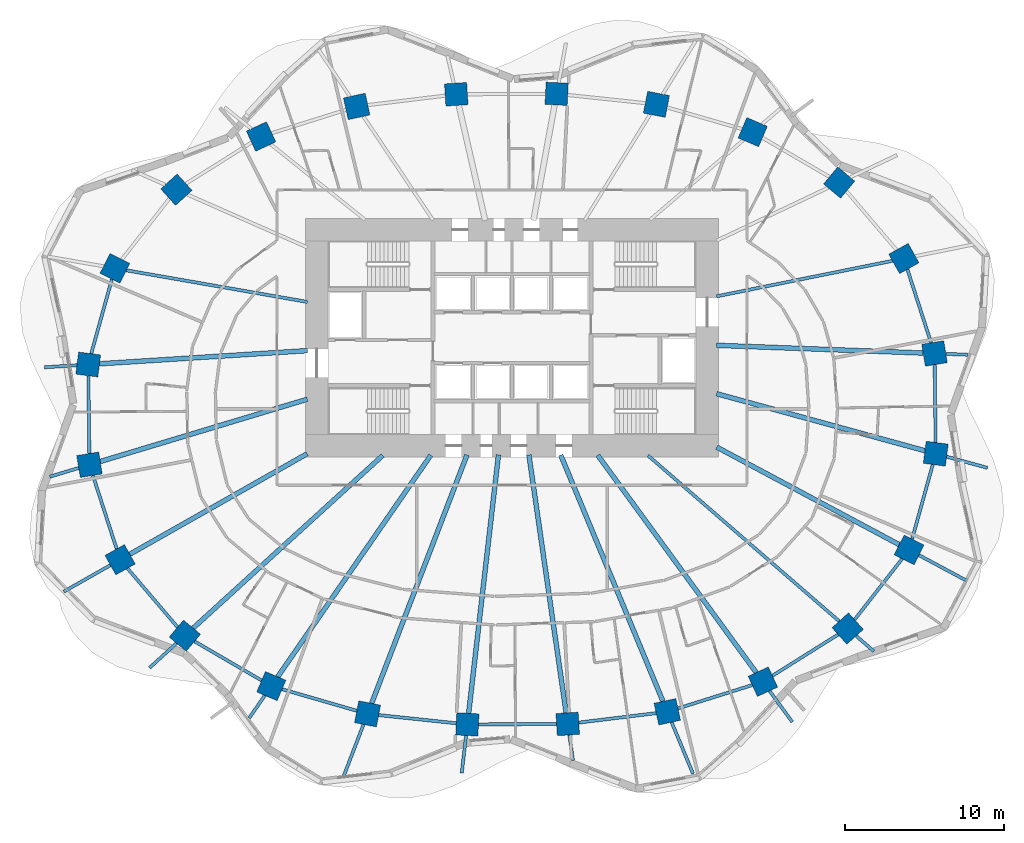
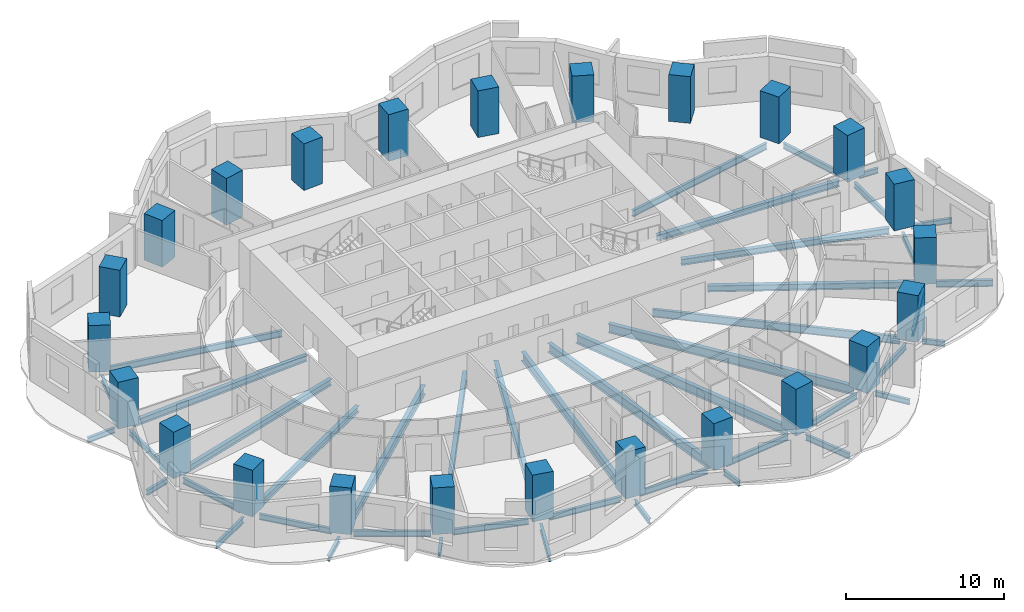
# One storey, part 1 of 11: 45 beams, 24 columns.
"""IFC4 building model written with IfcOpenShell, lengths in metres."""

from ifc_helpers import new_model, si_unit, direction, frame, origin, origin_2d, place, context, subcontext, project, spatial, rectangle, i_section, extrude, material, material_profile, profile_set, type_object, element, save


model = new_model("IFC4")

# Units and contexts
model_context = context("Model", 3, precision=1e-05, world=origin(), true_north=direction((0.0, 1.0)))
body_context = subcontext(model_context, "Body", "Model", "MODEL_VIEW")
ifc_project = project(units=[si_unit("LENGTHUNIT", "METRE"), si_unit("AREAUNIT", "SQUARE_METRE"), si_unit("VOLUMEUNIT", "CUBIC_METRE"), si_unit("PLANEANGLEUNIT", "RADIAN"), si_unit("MASSUNIT", "GRAM", prefix="KILO")], contexts=[model_context])

# Site, building, storey
site_placement = place(None, origin())
site = spatial("IfcSite", under=ifc_project, at=site_placement, CompositionType="ELEMENT")
building_placement = place(site_placement, origin())
building = spatial("IfcBuilding", under=site, at=building_placement, Name="Rubra Terraces Tower", CompositionType="ELEMENT")
storey_placement = place(building_placement, frame((0.0, 0.0, 69.89990234375)))
storey = spatial("IfcBuildingStorey", under=building, at=storey_placement, Name="L15", CompositionType="ELEMENT", Elevation=69.89990234375)

# Columns
ifc_material_1 = material(Name="Concrete C60", Category="concrete")
ifc_material_profile_1 = material_profile(ifc_material_1, rectangle(XDim=1.39990234375, YDim=1.39990234375, at=origin_2d()), Name="RC 1400x1400")
ifc_profile_set_1 = profile_set([ifc_material_profile_1], Name="Concrete C60")
column_type = type_object("IfcColumnType", Name="RING COLUMN RC 1400x1400 C60", PredefinedType="COLUMN", material=ifc_profile_set_1)
for number, where, z_axis, x_axis, name in (
    (1, (26.60498046875, 3.5029296875, 0.0), (0.0, 0.0, 1.0), (-0.161234051287, 0.986916197408, 0.0), "column-L15-ring-01"),
    (2, (24.676025390625, 9.48291015625, 0.0), (0.0, 0.0, 1.0), (-0.487226597714, 0.873275582208, 0.0), "column-L15-ring-02"),
    (3, (20.60009765625, 14.26611328125, 0.0), (0.0, 0.0, 1.0), (-0.767209547574, 0.641396531104, 0.0), "column-L15-ring-03"),
    (4, (15.156982421875, 17.44091796875, 0.0), (0.0, 0.0, 1.0), (-0.919293738002, 0.393572132232, 0.0), "column-L15-ring-04"),
    (5, (9.093994140625, 19.19189453125, 0.0), (0.0, 0.0, 1.0), (-0.981430410798, 0.191818530806, 0.0), "column-L15-ring-05"),
    (6, (2.81103515625, 19.85400390625, 0.0), (0.0, 0.0, 1.0), (-0.99874501614, 0.050083857035, 0.0), "column-L15-ring-06"),
    (7, (-3.509033203125, 19.823974609375, 0.0), (0.0, 0.0, 1.0), (-0.9980076013, -0.063093801177, 0.0), "column-L15-ring-07"),
    (8, (-9.780029296875, 19.05810546875, 0.0), (0.0, 0.0, 1.0), (-0.977386186482, -0.211462153764, 0.0), "column-L15-ring-08"),
    (9, (-15.799072265625, 17.1650390625, 0.0), (0.0, 0.0, 1.0), (-0.907952363445, -0.419073389413, 0.0), "column-L15-ring-09"),
    (10, (-21.135009765625, 13.81689453125, 0.0), (0.0, 0.0, 1.0), (-0.742675944539, -0.66965098477, 0.0), "column-L15-ring-10"),
    (11, (-25.0029296875, 8.865966796875, 0.0), (0.0, 0.0, 1.0), (-0.450098906028, -0.892978709036, 0.0), "column-L15-ring-11"),
    (12, (-26.68408203125, 2.80810546875, 0.0), (0.0, 0.0, 1.0), (-0.128444510405, -0.991716697322, 0.0), "column-L15-ring-12"),
    (13, (-26.60498046875, -3.5029296875, 0.0), (0.0, 0.0, 1.0), (0.161234051287, -0.986916197408, 0.0), "column-L15-ring-13"),
    (14, (-24.676025390625, -9.48291015625, 0.0), (0.0, 0.0, 1.0), (0.487226597714, -0.873275582208, 0.0), "column-L15-ring-14"),
    (15, (-20.60009765625, -14.26611328125, 0.0), (0.0, 0.0, 1.0), (0.767209547574, -0.641396531104, 0.0), "column-L15-ring-15"),
    (16, (-15.156982421875, -17.44091796875, 0.0), (0.0, 0.0, 1.0), (0.919293738002, -0.393572132232, 0.0), "column-L15-ring-16"),
    (17, (-9.093994140625, -19.19189453125, 0.0), (0.0, 0.0, 1.0), (0.981430410798, -0.191818530806, 0.0), "column-L15-ring-17"),
    (18, (-2.81103515625, -19.85400390625, 0.0), (0.0, 0.0, 1.0), (0.99874501614, -0.050083857035, 0.0), "column-L15-ring-18"),
    (19, (3.509033203125, -19.823974609375, 0.0), (0.0, 0.0, 1.0), (0.9980076013, 0.063093801177, 0.0), "column-L15-ring-19"),
    (20, (9.780029296875, -19.05810546875, 0.0), (0.0, 0.0, 1.0), (0.977386186482, 0.211462153764, 0.0), "column-L15-ring-20"),
    (21, (15.799072265625, -17.1650390625, 0.0), (0.0, 0.0, 1.0), (0.907952363445, 0.419073389413, 0.0), "column-L15-ring-21"),
    (22, (21.135009765625, -13.81689453125, 0.0), (0.0, 0.0, 1.0), (0.742675944539, 0.66965098477, 0.0), "column-L15-ring-22"),
    (23, (25.0029296875, -8.865966796875, 0.0), (0.0, 0.0, 1.0), (0.450098906028, 0.892978709036, 0.0), "column-L15-ring-23"),
    (24, (26.68408203125, -2.80810546875, 0.0), (0.0, 0.0, 1.0), (0.128444510405, 0.991716697322, 0.0), "column-L15-ring-24"),
):
    element("IfcColumn", number, at=place(storey_placement, frame(where, z_axis=z_axis, x_axis=x_axis)), inside=storey, type_object=column_type, Name=name, PredefinedType="COLUMN", context=body_context, shape_type="SweptSolid", body=[
        extrude(rectangle(XDim=1.39990234375, YDim=1.39990234375, at=origin_2d()), origin(), (0.0, 0.0, 1.0), 3.60009765625),
    ])

# Beams
ifc_material_2 = material(Name="Steel Q355B", Category="steel")
ifc_material_profile_2 = material_profile(ifc_material_2, i_section(OverallWidth=0.199951171875, OverallDepth=0.39990234375, WebThickness=0.008056640625, FlangeThickness=0.012939453125, at=origin_2d()), Name="HN 400x200x8x13")
ifc_profile_set_2 = profile_set([ifc_material_profile_2], Name="Steel Q355B")
beam_type_1 = type_object("IfcBeamType", Name="CANTILEVER BEAM HN 400x200x8x13", PredefinedType="BEAM", material=ifc_profile_set_2)
beam_1_placement = place(storey_placement, frame((-27.39599609375, 2.762939453125, -0.39990234375), z_axis=(-0.997987100921, -0.063417240527, 0.0), x_axis=(0.063417240527, -0.997987100921, 0.0)))
element("IfcBeam", 25, at=beam_1_placement, inside=storey, type_object=beam_type_1, Name="beam-L15-cant-12", PredefinedType="BEAM", context=body_context, shape_type="SweptSolid", body=[
    extrude(i_section(OverallWidth=0.199951171875, OverallDepth=0.39990234375, WebThickness=0.008056640625, FlangeThickness=0.012939453125, at=origin_2d()), origin(), (0.0, 0.0, 1.0), 2.048095703125),
])
beam_2_placement = place(storey_placement, frame((-27.281005859375, -3.7060546875, -0.39990234375), z_axis=(-0.957547006663, -0.288277175703, 0.0), x_axis=(0.288277175703, -0.957547006663, 0.0)))
element("IfcBeam", 26, at=beam_2_placement, inside=storey, type_object=beam_type_1, Name="beam-L15-cant-13", PredefinedType="BEAM", context=body_context, shape_type="SweptSolid", body=[
    extrude(i_section(OverallWidth=0.199951171875, OverallDepth=0.39990234375, WebThickness=0.008056640625, FlangeThickness=0.012939453125, at=origin_2d()), origin(), (0.0, 0.0, 1.0), 1.90380859375),
])
beam_3_placement = place(storey_placement, frame((-21.1220703125, -14.741943359375, -0.39990234375), z_axis=(-0.739203396286, -0.673482248407, 0.0), x_axis=(0.673482248407, -0.739203396286, 0.0)))
element("IfcBeam", 27, at=beam_3_placement, inside=storey, type_object=beam_type_1, Name="beam-L15-cant-15", PredefinedType="BEAM", context=body_context, shape_type="SweptSolid", body=[
    extrude(i_section(OverallWidth=0.199951171875, OverallDepth=0.39990234375, WebThickness=0.008056640625, FlangeThickness=0.012939453125, at=origin_2d()), origin(), (0.0, 0.0, 1.0), 2.295654296875),
])
beam_4_placement = place(storey_placement, frame((-15.56298828125, -18.029052734375, -0.39990234375), z_axis=(-0.568372795254, -0.822771150208, 0.0), x_axis=(0.822771150208, -0.568372795254, 0.0)))
element("IfcBeam", 28, at=beam_4_placement, inside=storey, type_object=beam_type_1, Name="beam-L15-cant-16", PredefinedType="BEAM", context=body_context, shape_type="SweptSolid", body=[
    extrude(i_section(OverallWidth=0.199951171875, OverallDepth=0.39990234375, WebThickness=0.008056640625, FlangeThickness=0.012939453125, at=origin_2d()), origin(), (0.0, 0.0, 1.0), 1.729248046875),
])
beam_5_placement = place(storey_placement, frame((-2.89111328125, -20.551025390625, -0.39990234375), z_axis=(-0.115009274268, -0.993364417942, 0.0), x_axis=(0.993364417942, -0.115009274268, 0.0)))
element("IfcBeam", 29, at=beam_5_placement, inside=storey, type_object=beam_type_1, Name="beam-L15-cant-18", PredefinedType="BEAM", context=body_context, shape_type="SweptSolid", body=[
    extrude(i_section(OverallWidth=0.199951171875, OverallDepth=0.39990234375, WebThickness=0.008056640625, FlangeThickness=0.012939453125, at=origin_2d()), origin(), (0.0, 0.0, 1.0), 2.3818359375),
])
beam_6_placement = place(storey_placement, frame((3.60888671875, -20.51904296875, -0.39990234375), z_axis=(0.143199401523, -0.989693857414, 0.0), x_axis=(0.989693857414, 0.143199401523, 0.0)))
element("IfcBeam", 30, at=beam_6_placement, inside=storey, type_object=beam_type_1, Name="beam-L15-cant-19", PredefinedType="BEAM", context=body_context, shape_type="SweptSolid", body=[
    extrude(i_section(OverallWidth=0.199951171875, OverallDepth=0.39990234375, WebThickness=0.008056640625, FlangeThickness=0.012939453125, at=origin_2d()), origin(), (0.0, 0.0, 1.0), 1.614501953125),
])
beam_7_placement = place(storey_placement, frame((16.219970703125, -17.741943359375, -0.39990234375), z_axis=(0.589172157449, -0.808007530216, 0.0), x_axis=(0.808007530216, 0.589172157449, 0.0)))
element("IfcBeam", 31, at=beam_7_placement, inside=storey, type_object=beam_type_1, Name="beam-L15-cant-21", PredefinedType="BEAM", context=body_context, shape_type="SweptSolid", body=[
    extrude(i_section(OverallWidth=0.199951171875, OverallDepth=0.39990234375, WebThickness=0.008056640625, FlangeThickness=0.012939453125, at=origin_2d()), origin(), (0.0, 0.0, 1.0), 2.422119140625),
])
beam_8_placement = place(storey_placement, frame((21.66796875, -14.279052734375, -0.39990234375), z_axis=(0.755672764908, -0.654949366269, 0.0), x_axis=(0.654949366269, 0.755672764908, 0.0)))
element("IfcBeam", 32, at=beam_8_placement, inside=storey, type_object=beam_type_1, Name="beam-L15-cant-22", PredefinedType="BEAM", context=body_context, shape_type="SweptSolid", body=[
    extrude(i_section(OverallWidth=0.199951171875, OverallDepth=0.39990234375, WebThickness=0.008056640625, FlangeThickness=0.012939453125, at=origin_2d()), origin(), (0.0, 0.0, 1.0), 1.48095703125),
])
beam_9_placement = place(storey_placement, frame((27.365966796875, -2.9951171875, -0.39990234375), z_axis=(0.964544084277, -0.263921786684, 0.0), x_axis=(0.263921786684, 0.964544084277, 0.0)))
element("IfcBeam", 33, at=beam_9_placement, inside=storey, type_object=beam_type_1, Name="beam-L15-cant-24", PredefinedType="BEAM", context=body_context, shape_type="SweptSolid", body=[
    extrude(i_section(OverallWidth=0.199951171875, OverallDepth=0.39990234375, WebThickness=0.008056640625, FlangeThickness=0.012939453125, at=origin_2d()), origin(), (0.0, 0.0, 1.0), 2.670654296875),
])
ifc_material_profile_3 = material_profile(ifc_material_2, i_section(OverallWidth=0.198974609375, OverallDepth=0.446044921875, WebThickness=0.008056640625, FlangeThickness=0.011962890625, at=origin_2d()), Name="HN 446x199x8x12")
ifc_profile_set_3 = profile_set([ifc_material_profile_3], Name="Steel Q355B")
beam_type_2 = type_object("IfcBeamType", Name="CANTILEVER BEAM HN 446x199x8x12", PredefinedType="BEAM", material=ifc_profile_set_3)
beam_10_placement = place(storey_placement, frame((-25.284912109375, -9.827880859375, -0.4228515625), z_axis=(-0.869963288166, -0.493116494596, 0.0), x_axis=(0.493116494596, -0.869963288166, 0.0)))
element("IfcBeam", 34, at=beam_10_placement, inside=storey, type_object=beam_type_2, Name="beam-L15-cant-14", PredefinedType="BEAM", context=body_context, shape_type="SweptSolid", body=[
    extrude(i_section(OverallWidth=0.198974609375, OverallDepth=0.446044921875, WebThickness=0.008056640625, FlangeThickness=0.011962890625, at=origin_2d()), origin(), (0.0, 0.0, 1.0), 3.378662109375),
])
beam_11_placement = place(storey_placement, frame((10.052978515625, -19.715087890625, -0.4228515625), z_axis=(0.383477452427, -0.923550238742, 0.0), x_axis=(0.923550238742, 0.383477452427, 0.0)))
element("IfcBeam", 35, at=beam_11_placement, inside=storey, type_object=beam_type_2, Name="beam-L15-cant-20", PredefinedType="BEAM", context=body_context, shape_type="SweptSolid", body=[
    extrude(i_section(OverallWidth=0.198974609375, OverallDepth=0.446044921875, WebThickness=0.008056640625, FlangeThickness=0.011962890625, at=origin_2d()), origin(), (0.0, 0.0, 1.0), 3.504638671875),
])
ifc_material_profile_4 = material_profile(ifc_material_2, i_section(OverallWidth=0.198974609375, OverallDepth=0.49609375, WebThickness=0.009033203125, FlangeThickness=0.013916015625, at=origin_2d()), Name="HN 496x199x9x14")
ifc_profile_set_4 = profile_set([ifc_material_profile_4], Name="Steel Q355B")
beam_type_3 = type_object("IfcBeamType", Name="CANTILEVER BEAM HN 496x199x9x14", PredefinedType="BEAM", material=ifc_profile_set_4)
beam_12_placement = place(storey_placement, frame((-9.34912109375, -19.85498046875, -0.447998046875), z_axis=(-0.358128312142, -0.933672379393, 0.0), x_axis=(0.933672379393, -0.358128312142, 0.0)))
element("IfcBeam", 36, at=beam_12_placement, inside=storey, type_object=beam_type_3, Name="beam-L15-cant-17", PredefinedType="BEAM", context=body_context, shape_type="SweptSolid", body=[
    extrude(i_section(OverallWidth=0.198974609375, OverallDepth=0.49609375, WebThickness=0.009033203125, FlangeThickness=0.013916015625, at=origin_2d()), origin(), (0.0, 0.0, 1.0), 3.61572265625),
])
beam_13_placement = place(storey_placement, frame((25.62109375, -9.196044921875, -0.447998046875), z_axis=(0.881799105952, -0.471625207917, 0.0), x_axis=(0.471625207917, 0.881799105952, 0.0)))
element("IfcBeam", 37, at=beam_13_placement, inside=storey, type_object=beam_type_3, Name="beam-L15-cant-23", PredefinedType="BEAM", context=body_context, shape_type="SweptSolid", body=[
    extrude(i_section(OverallWidth=0.198974609375, OverallDepth=0.49609375, WebThickness=0.009033203125, FlangeThickness=0.013916015625, at=origin_2d()), origin(), (0.0, 0.0, 1.0), 3.591552734375),
])
ifc_material_profile_5 = material_profile(ifc_material_2, i_section(OverallWidth=0.199951171875, OverallDepth=0.39990234375, WebThickness=0.008056640625, FlangeThickness=0.012939453125, at=origin_2d()), Name="HN 400x200x8x13")
ifc_profile_set_5 = profile_set([ifc_material_profile_5], Name="Steel Q355B")
beam_type_4 = type_object("IfcBeamType", Name="CANTILEVER STUB HN 400x200x8x13", PredefinedType="BEAM", material=ifc_profile_set_5)
beam_14_placement = place(storey_placement, frame((27.319091796875, 3.47607421875, -0.39990234375), z_axis=(0.99929272243, -0.037603921316, 0.0), x_axis=(0.037603921316, 0.99929272243, 0.0)))
element("IfcBeam", 38, at=beam_14_placement, inside=storey, type_object=beam_type_4, Name="beam-L15-cant-01", PredefinedType="BEAM", context=body_context, shape_type="SweptSolid", body=[
    extrude(i_section(OverallWidth=0.199951171875, OverallDepth=0.39990234375, WebThickness=0.008056640625, FlangeThickness=0.012939453125, at=origin_2d()), origin(), (0.0, 0.0, 1.0), 1.35693359375),
])
ifc_material_profile_6 = material_profile(ifc_material_2, i_section(OverallWidth=0.300048828125, OverallDepth=0.48193359375, WebThickness=0.010986328125, FlangeThickness=0.014892578125, at=origin_2d()), Name="HM 482x300x11x15")
ifc_profile_set_6 = profile_set([ifc_material_profile_6], Name="Steel Q355B")
beam_type_5 = type_object("IfcBeamType", Name="FLOOR BEAM HM 482x300x11x15", PredefinedType="BEAM", material=ifc_profile_set_6)
beam_15_placement = place(storey_placement, frame((25.89111328125, 3.530029296875, -0.44091796875), z_axis=(-0.999300088658, 0.037407657088, 0.0), x_axis=(-0.037407657088, -0.999300088658, 0.0)))
element("IfcBeam", 39, at=beam_15_placement, inside=storey, type_object=beam_type_5, Name="beam-L15-floor-01", PredefinedType="BEAM", context=body_context, shape_type="SweptSolid", body=[
    extrude(i_section(OverallWidth=0.300048828125, OverallDepth=0.48193359375, WebThickness=0.010986328125, FlangeThickness=0.014892578125, at=origin_2d()), origin(), (0.0, 0.0, 1.0), 13.020263671875),
])
beam_16_placement = place(storey_placement, frame((-25.971923828125, 2.85302734375, -0.44091796875), z_axis=(0.997996052936, 0.06327620662, 0.0), x_axis=(-0.06327620662, 0.997996052936, 0.0)))
element("IfcBeam", 40, at=beam_16_placement, inside=storey, type_object=beam_type_5, Name="beam-L15-floor-12", PredefinedType="BEAM", context=body_context, shape_type="SweptSolid", body=[
    extrude(i_section(OverallWidth=0.300048828125, OverallDepth=0.48193359375, WebThickness=0.010986328125, FlangeThickness=0.014892578125, at=origin_2d()), origin(), (0.0, 0.0, 1.0), 13.118408203125),
])
beam_17_placement = place(storey_placement, frame((-25.928955078125, -3.300048828125, -0.44091796875), z_axis=(0.957605991861, 0.288081176671, 0.0), x_axis=(-0.288081176671, 0.957605991861, 0.0)))
element("IfcBeam", 41, at=beam_17_placement, inside=storey, type_object=beam_type_5, Name="beam-L15-floor-13", PredefinedType="BEAM", context=body_context, shape_type="SweptSolid", body=[
    extrude(i_section(OverallWidth=0.300048828125, OverallDepth=0.48193359375, WebThickness=0.010986328125, FlangeThickness=0.014892578125, at=origin_2d()), origin(), (0.0, 0.0, 1.0), 13.621337890625),
])
beam_18_placement = place(storey_placement, frame((-24.06689453125, -9.137939453125, -0.44091796875), z_axis=(0.869992824144, 0.493064383157, 0.0), x_axis=(-0.493064383157, 0.869992824144, 0.0)))
element("IfcBeam", 42, at=beam_18_placement, inside=storey, type_object=beam_type_5, Name="beam-L15-floor-14", PredefinedType="BEAM", context=body_context, shape_type="SweptSolid", body=[
    extrude(i_section(OverallWidth=0.300048828125, OverallDepth=0.48193359375, WebThickness=0.010986328125, FlangeThickness=0.014892578125, at=origin_2d()), origin(), (0.0, 0.0, 1.0), 12.84033203125),
])
beam_19_placement = place(storey_placement, frame((24.385009765625, -8.535888671875, -0.44091796875), z_axis=(-0.881896613876, 0.471442851716, 0.0), x_axis=(-0.471442851716, -0.881896613876, 0.0)))
element("IfcBeam", 43, at=beam_19_placement, inside=storey, type_object=beam_type_5, Name="beam-L15-floor-23", PredefinedType="BEAM", context=body_context, shape_type="SweptSolid", body=[
    extrude(i_section(OverallWidth=0.300048828125, OverallDepth=0.48193359375, WebThickness=0.010986328125, FlangeThickness=0.014892578125, at=origin_2d()), origin(), (0.0, 0.0, 1.0), 13.02978515625),
])
beam_20_placement = place(storey_placement, frame((26.001953125, -2.62109375, -0.44091796875), z_axis=(-0.964494059772, 0.264104541167, 0.0), x_axis=(-0.264104541167, -0.964494059772, 0.0)))
element("IfcBeam", 44, at=beam_20_placement, inside=storey, type_object=beam_type_5, Name="beam-L15-floor-24", PredefinedType="BEAM", context=body_context, shape_type="SweptSolid", body=[
    extrude(i_section(OverallWidth=0.300048828125, OverallDepth=0.48193359375, WebThickness=0.010986328125, FlangeThickness=0.014892578125, at=origin_2d()), origin(), (0.0, 0.0, 1.0), 13.600830078125),
])
ifc_material_profile_7 = material_profile(ifc_material_2, i_section(OverallWidth=0.198974609375, OverallDepth=0.49609375, WebThickness=0.009033203125, FlangeThickness=0.013916015625, at=origin_2d()), Name="HN 496x199x9x14")
ifc_profile_set_7 = profile_set([ifc_material_profile_7], Name="Steel Q355B")
beam_type_6 = type_object("IfcBeamType", Name="FLOOR BEAM HN 496x199x9x14", PredefinedType="BEAM", material=ifc_profile_set_7)
beam_21_placement = place(storey_placement, frame((23.9560546875, 9.337890625, -0.447998046875), z_axis=(-0.980204035637, -0.197990021264, 0.0), x_axis=(0.197990021264, -0.980204035637, 0.0)))
element("IfcBeam", 45, at=beam_21_placement, inside=storey, type_object=beam_type_6, Name="beam-L15-floor-02", PredefinedType="BEAM", context=body_context, shape_type="SweptSolid", body=[
    extrude(i_section(OverallWidth=0.198974609375, OverallDepth=0.49609375, WebThickness=0.009033203125, FlangeThickness=0.013916015625, at=origin_2d()), origin(), (0.0, 0.0, 1.0), 11.297607421875),
])
beam_22_placement = place(storey_placement, frame((-24.282958984375, 8.739990234375, -0.447998046875), z_axis=(0.985091834527, -0.172029292701, 0.0), x_axis=(0.172029292701, 0.985091834527, 0.0)))
element("IfcBeam", 46, at=beam_22_placement, inside=storey, type_object=beam_type_6, Name="beam-L15-floor-11", PredefinedType="BEAM", context=body_context, shape_type="SweptSolid", body=[
    extrude(i_section(OverallWidth=0.198974609375, OverallDepth=0.49609375, WebThickness=0.009033203125, FlangeThickness=0.013916015625, at=origin_2d()), origin(), (0.0, 0.0, 1.0), 11.573486328125),
])
ifc_material_profile_8 = material_profile(ifc_material_2, i_section(OverallWidth=0.198974609375, OverallDepth=0.595947265625, WebThickness=0.010009765625, FlangeThickness=0.014892578125, at=origin_2d()), Name="HN 596x199x10x15")
ifc_profile_set_8 = profile_set([ifc_material_profile_8], Name="Steel Q355B")
beam_type_7 = type_object("IfcBeamType", Name="FLOOR BEAM HN 596x199x10x15", PredefinedType="BEAM", material=ifc_profile_set_8)
beam_23_placement = place(storey_placement, frame((20.60205078125, -13.35498046875, -0.497802734375), z_axis=(-0.755682003913, 0.654938706263, 0.0), x_axis=(-0.654938706263, -0.755682003913, 0.0)))
element("IfcBeam", 47, at=beam_23_placement, inside=storey, type_object=beam_type_7, Name="beam-L15-floor-22", PredefinedType="BEAM", context=body_context, shape_type="SweptSolid", body=[
    extrude(i_section(OverallWidth=0.198974609375, OverallDepth=0.595947265625, WebThickness=0.010009765625, FlangeThickness=0.014892578125, at=origin_2d()), origin(), (0.0, 0.0, 1.0), 15.931396484375),
])
ifc_material_profile_9 = material_profile(ifc_material_2, i_section(OverallWidth=0.300048828125, OverallDepth=0.699951171875, WebThickness=0.012939453125, FlangeThickness=0.02392578125, at=origin_2d()), Name="HN 700x300x13x24")
ifc_profile_set_9 = profile_set([ifc_material_profile_9], Name="Steel Q355B")
beam_type_8 = type_object("IfcBeamType", Name="FLOOR BEAM HN 700x300x13x24", PredefinedType="BEAM", material=ifc_profile_set_9)
beam_24_placement = place(storey_placement, frame((-20.077880859375, -13.7900390625, -0.5498046875), z_axis=(0.739256734846, 0.673423700195, 0.0), x_axis=(-0.673423700195, 0.739256734846, 0.0)))
element("IfcBeam", 48, at=beam_24_placement, inside=storey, type_object=beam_type_8, Name="beam-L15-floor-15", PredefinedType="BEAM", context=body_context, shape_type="SweptSolid", body=[
    extrude(i_section(OverallWidth=0.300048828125, OverallDepth=0.699951171875, WebThickness=0.012939453125, FlangeThickness=0.02392578125, at=origin_2d()), origin(), (0.0, 0.0, 1.0), 16.14306640625),
])
beam_25_placement = place(storey_placement, frame((-14.7509765625, -16.85302734375, -0.5498046875), z_axis=(0.568362941886, 0.822777956858, 0.0), x_axis=(-0.822777956858, 0.568362941886, 0.0)))
element("IfcBeam", 49, at=beam_25_placement, inside=storey, type_object=beam_type_8, Name="beam-L15-floor-16", PredefinedType="BEAM", context=body_context, shape_type="SweptSolid", body=[
    extrude(i_section(OverallWidth=0.300048828125, OverallDepth=0.699951171875, WebThickness=0.012939453125, FlangeThickness=0.02392578125, at=origin_2d()), origin(), (0.0, 0.0, 1.0), 16.957275390625),
])
beam_26_placement = place(storey_placement, frame((-8.839111328125, -18.529052734375, -0.5498046875), z_axis=(0.358321803184, 0.933598139117, 0.0), x_axis=(-0.933598139117, 0.358321803184, 0.0)))
element("IfcBeam", 50, at=beam_26_placement, inside=storey, type_object=beam_type_8, Name="beam-L15-floor-17", PredefinedType="BEAM", context=body_context, shape_type="SweptSolid", body=[
    extrude(i_section(OverallWidth=0.300048828125, OverallDepth=0.699951171875, WebThickness=0.012939453125, FlangeThickness=0.02392578125, at=origin_2d()), origin(), (0.0, 0.0, 1.0), 16.753662109375),
])
beam_27_placement = place(storey_placement, frame((-2.73095703125, -19.156982421875, -0.5498046875), z_axis=(0.114679535872, 0.993402538779, 0.0), x_axis=(-0.993402538779, 0.114679535872, 0.0)))
element("IfcBeam", 51, at=beam_27_placement, inside=storey, type_object=beam_type_8, Name="beam-L15-floor-18", PredefinedType="BEAM", context=body_context, shape_type="SweptSolid", body=[
    extrude(i_section(OverallWidth=0.300048828125, OverallDepth=0.699951171875, WebThickness=0.012939453125, FlangeThickness=0.02392578125, at=origin_2d()), origin(), (0.0, 0.0, 1.0), 16.384033203125),
])
beam_28_placement = place(storey_placement, frame((3.408935546875, -19.12890625, -0.5498046875), z_axis=(-0.142787075711, 0.9897534294, 0.0), x_axis=(-0.9897534294, -0.142787075711, 0.0)))
element("IfcBeam", 52, at=beam_28_placement, inside=storey, type_object=beam_type_8, Name="beam-L15-floor-19", PredefinedType="BEAM", context=body_context, shape_type="SweptSolid", body=[
    extrude(i_section(OverallWidth=0.300048828125, OverallDepth=0.699951171875, WebThickness=0.012939453125, FlangeThickness=0.02392578125, at=origin_2d()), origin(), (0.0, 0.0, 1.0), 16.416015625),
])
beam_29_placement = place(storey_placement, frame((9.507080078125, -18.40087890625, -0.5498046875), z_axis=(-0.383379543301, 0.923590886582, 0.0), x_axis=(-0.923590886582, -0.383379543301, 0.0)))
element("IfcBeam", 53, at=beam_29_placement, inside=storey, type_object=beam_type_8, Name="beam-L15-floor-20", PredefinedType="BEAM", context=body_context, shape_type="SweptSolid", body=[
    extrude(i_section(OverallWidth=0.300048828125, OverallDepth=0.699951171875, WebThickness=0.012939453125, FlangeThickness=0.02392578125, at=origin_2d()), origin(), (0.0, 0.0, 1.0), 16.795166015625),
])
beam_30_placement = place(storey_placement, frame((15.3779296875, -16.587890625, -0.5498046875), z_axis=(-0.58919117553, 0.807993662523, 0.0), x_axis=(-0.807993662523, -0.58919117553, 0.0)))
element("IfcBeam", 54, at=beam_30_placement, inside=storey, type_object=beam_type_8, Name="beam-L15-floor-21", PredefinedType="BEAM", context=body_context, shape_type="SweptSolid", body=[
    extrude(i_section(OverallWidth=0.300048828125, OverallDepth=0.699951171875, WebThickness=0.012939453125, FlangeThickness=0.02392578125, at=origin_2d()), origin(), (0.0, 0.0, 1.0), 16.936767578125),
])
ifc_material_profile_10 = material_profile(ifc_material_2, i_section(OverallWidth=0.198974609375, OverallDepth=0.446044921875, WebThickness=0.008056640625, FlangeThickness=0.011962890625, at=origin_2d()), Name="HN 446x199x8x12")
ifc_profile_set_10 = profile_set([ifc_material_profile_10], Name="Steel Q355B")
beam_type_9 = type_object("IfcBeamType", Name="SPANDREL BEAM HN 446x199x8x12", PredefinedType="SPANDREL", material=ifc_profile_set_10)
beam_31_placement = place(storey_placement, frame((26.387939453125, 4.177001953125, -0.4228515625), z_axis=(-0.30706880261, 0.951687317591, 0.0), x_axis=(-0.951687317591, -0.30706880261, 0.0)))
element("IfcBeam", 55, at=beam_31_placement, inside=storey, type_object=beam_type_9, Name="beam-L15-spandrel-01", PredefinedType="SPANDREL", context=body_context, shape_type="SweptSolid", body=[
    extrude(i_section(OverallWidth=0.198974609375, OverallDepth=0.446044921875, WebThickness=0.008056640625, FlangeThickness=0.011962890625, at=origin_2d()), origin(), (0.0, 0.0, 1.0), 4.86181640625),
])
beam_32_placement = place(storey_placement, frame((-25.194091796875, 8.177978515625, -0.4228515625), z_axis=(-0.267364386726, -0.96359549849, 0.0), x_axis=(0.96359549849, -0.267364386726, 0.0)))
element("IfcBeam", 56, at=beam_32_placement, inside=storey, type_object=beam_type_9, Name="beam-L15-spandrel-11", PredefinedType="SPANDREL", context=body_context, shape_type="SweptSolid", body=[
    extrude(i_section(OverallWidth=0.198974609375, OverallDepth=0.446044921875, WebThickness=0.008056640625, FlangeThickness=0.011962890625, at=origin_2d()), origin(), (0.0, 0.0, 1.0), 4.8662109375),
])
beam_33_placement = place(storey_placement, frame((-26.675048828125, 2.10107421875, -0.4228515625), z_axis=(0.012465372298, -0.999922304228, 0.0), x_axis=(0.999922304228, 0.012465372298, 0.0)))
element("IfcBeam", 57, at=beam_33_placement, inside=storey, type_object=beam_type_9, Name="beam-L15-spandrel-12", PredefinedType="SPANDREL", context=body_context, shape_type="SweptSolid", body=[
    extrude(i_section(OverallWidth=0.198974609375, OverallDepth=0.446044921875, WebThickness=0.008056640625, FlangeThickness=0.011962890625, at=origin_2d()), origin(), (0.0, 0.0, 1.0), 4.896484375),
])
beam_34_placement = place(storey_placement, frame((-26.387939453125, -4.177001953125, -0.4228515625), z_axis=(0.30706880261, -0.951687317591, 0.0), x_axis=(0.951687317591, 0.30706880261, 0.0)))
element("IfcBeam", 58, at=beam_34_placement, inside=storey, type_object=beam_type_9, Name="beam-L15-spandrel-13", PredefinedType="SPANDREL", context=body_context, shape_type="SweptSolid", body=[
    extrude(i_section(OverallWidth=0.198974609375, OverallDepth=0.446044921875, WebThickness=0.008056640625, FlangeThickness=0.011962890625, at=origin_2d()), origin(), (0.0, 0.0, 1.0), 4.86181640625),
])
beam_35_placement = place(storey_placement, frame((-24.212890625, -10.02587890625, -0.4228515625), z_axis=(0.648447050824, -0.761259760054, 0.0), x_axis=(0.761259760054, 0.648447050824, 0.0)))
element("IfcBeam", 59, at=beam_35_placement, inside=storey, type_object=beam_type_9, Name="beam-L15-spandrel-14", PredefinedType="SPANDREL", context=body_context, shape_type="SweptSolid", body=[
    extrude(i_section(OverallWidth=0.198974609375, OverallDepth=0.446044921875, WebThickness=0.008056640625, FlangeThickness=0.011962890625, at=origin_2d()), origin(), (0.0, 0.0, 1.0), 4.860595703125),
])
beam_36_placement = place(storey_placement, frame((-19.987060546875, -14.6240234375, -0.4228515625), z_axis=(0.863806081452, -0.503824427402, 0.0), x_axis=(0.503824427402, 0.863806081452, 0.0)))
element("IfcBeam", 60, at=beam_36_placement, inside=storey, type_object=beam_type_9, Name="beam-L15-spandrel-15", PredefinedType="SPANDREL", context=body_context, shape_type="SweptSolid", body=[
    extrude(i_section(OverallWidth=0.198974609375, OverallDepth=0.446044921875, WebThickness=0.008056640625, FlangeThickness=0.011962890625, at=origin_2d()), origin(), (0.0, 0.0, 1.0), 4.886474609375),
])
beam_37_placement = place(storey_placement, frame((-14.47900390625, -17.636962890625, -0.4228515625), z_axis=(0.960743980202, -0.277436487337, 0.0), x_axis=(0.277436487337, 0.960743980202, 0.0)))
element("IfcBeam", 61, at=beam_37_placement, inside=storey, type_object=beam_type_9, Name="beam-L15-spandrel-16", PredefinedType="SPANDREL", context=body_context, shape_type="SweptSolid", body=[
    extrude(i_section(OverallWidth=0.198974609375, OverallDepth=0.446044921875, WebThickness=0.008056640625, FlangeThickness=0.011962890625, at=origin_2d()), origin(), (0.0, 0.0, 1.0), 4.90234375),
])
beam_38_placement = place(storey_placement, frame((-8.39501953125, -19.26611328125, -0.4228515625), z_axis=(0.994495375694, -0.104780473964, 0.0), x_axis=(0.104780473964, 0.994495375694, 0.0)))
element("IfcBeam", 62, at=beam_38_placement, inside=storey, type_object=beam_type_9, Name="beam-L15-spandrel-17", PredefinedType="SPANDREL", context=body_context, shape_type="SweptSolid", body=[
    extrude(i_section(OverallWidth=0.198974609375, OverallDepth=0.446044921875, WebThickness=0.008056640625, FlangeThickness=0.011962890625, at=origin_2d()), origin(), (0.0, 0.0, 1.0), 4.9140625),
])
beam_39_placement = place(storey_placement, frame((-2.110107421875, -19.85107421875, -0.4228515625), z_axis=(0.999987924698, 0.004914311469, 0.0), x_axis=(-0.004914311469, 0.999987924698, 0.0)))
element("IfcBeam", 63, at=beam_39_placement, inside=storey, type_object=beam_type_9, Name="beam-L15-spandrel-18", PredefinedType="SPANDREL", context=body_context, shape_type="SweptSolid", body=[
    extrude(i_section(OverallWidth=0.198974609375, OverallDepth=0.446044921875, WebThickness=0.008056640625, FlangeThickness=0.011962890625, at=origin_2d()), origin(), (0.0, 0.0, 1.0), 4.918212890625),
])
beam_40_placement = place(storey_placement, frame((4.205078125, -19.739013671875, -0.4228515625), z_axis=(0.992616576014, 0.12129440639, 0.0), x_axis=(-0.12129440639, 0.992616576014, 0.0)))
element("IfcBeam", 64, at=beam_40_placement, inside=storey, type_object=beam_type_9, Name="beam-L15-spandrel-19", PredefinedType="SPANDREL", context=body_context, shape_type="SweptSolid", body=[
    extrude(i_section(OverallWidth=0.198974609375, OverallDepth=0.446044921875, WebThickness=0.008056640625, FlangeThickness=0.011962890625, at=origin_2d()), origin(), (0.0, 0.0, 1.0), 4.913330078125),
])
beam_41_placement = place(storey_placement, frame((10.450927734375, -18.846923828125, -0.4228515625), z_axis=(0.953954624663, 0.299950952796, 0.0), x_axis=(-0.299950952796, 0.953954624663, 0.0)))
element("IfcBeam", 65, at=beam_41_placement, inside=storey, type_object=beam_type_9, Name="beam-L15-spandrel-20", PredefinedType="SPANDREL", context=body_context, shape_type="SweptSolid", body=[
    extrude(i_section(OverallWidth=0.198974609375, OverallDepth=0.446044921875, WebThickness=0.008056640625, FlangeThickness=0.011962890625, at=origin_2d()), origin(), (0.0, 0.0, 1.0), 4.900634765625),
])
beam_42_placement = place(storey_placement, frame((16.39697265625, -16.7900390625, -0.4228515625), z_axis=(0.847078460197, 0.531467856291, 0.0), x_axis=(-0.531467856291, 0.847078460197, 0.0)))
element("IfcBeam", 66, at=beam_42_placement, inside=storey, type_object=beam_type_9, Name="beam-L15-spandrel-21", PredefinedType="SPANDREL", context=body_context, shape_type="SweptSolid", body=[
    extrude(i_section(OverallWidth=0.198974609375, OverallDepth=0.446044921875, WebThickness=0.008056640625, FlangeThickness=0.011962890625, at=origin_2d()), origin(), (0.0, 0.0, 1.0), 4.882568359375),
])
beam_43_placement = place(storey_placement, frame((21.572998046875, -13.257080078125, -0.4228515625), z_axis=(0.615577734286, 0.788076172112, 0.0), x_axis=(-0.788076172112, 0.615577734286, 0.0)))
element("IfcBeam", 67, at=beam_43_placement, inside=storey, type_object=beam_type_9, Name="beam-L15-spandrel-22", PredefinedType="SPANDREL", context=body_context, shape_type="SweptSolid", body=[
    extrude(i_section(OverallWidth=0.198974609375, OverallDepth=0.446044921875, WebThickness=0.008056640625, FlangeThickness=0.011962890625, at=origin_2d()), origin(), (0.0, 0.0, 1.0), 4.85888671875),
])
beam_44_placement = place(storey_placement, frame((25.194091796875, -8.177978515625, -0.4228515625), z_axis=(0.267364386726, 0.96359549849, 0.0), x_axis=(-0.96359549849, 0.267364386726, 0.0)))
element("IfcBeam", 68, at=beam_44_placement, inside=storey, type_object=beam_type_9, Name="beam-L15-spandrel-23", PredefinedType="SPANDREL", context=body_context, shape_type="SweptSolid", body=[
    extrude(i_section(OverallWidth=0.198974609375, OverallDepth=0.446044921875, WebThickness=0.008056640625, FlangeThickness=0.011962890625, at=origin_2d()), origin(), (0.0, 0.0, 1.0), 4.8662109375),
])
beam_45_placement = place(storey_placement, frame((26.675048828125, -2.10107421875, -0.4228515625), z_axis=(-0.012465372298, 0.999922304228, 0.0), x_axis=(-0.999922304228, -0.012465372298, 0.0)))
element("IfcBeam", 69, at=beam_45_placement, inside=storey, type_object=beam_type_9, Name="beam-L15-spandrel-24", PredefinedType="SPANDREL", context=body_context, shape_type="SweptSolid", body=[
    extrude(i_section(OverallWidth=0.198974609375, OverallDepth=0.446044921875, WebThickness=0.008056640625, FlangeThickness=0.011962890625, at=origin_2d()), origin(), (0.0, 0.0, 1.0), 4.896484375),
])

save(model, "model.ifc")
